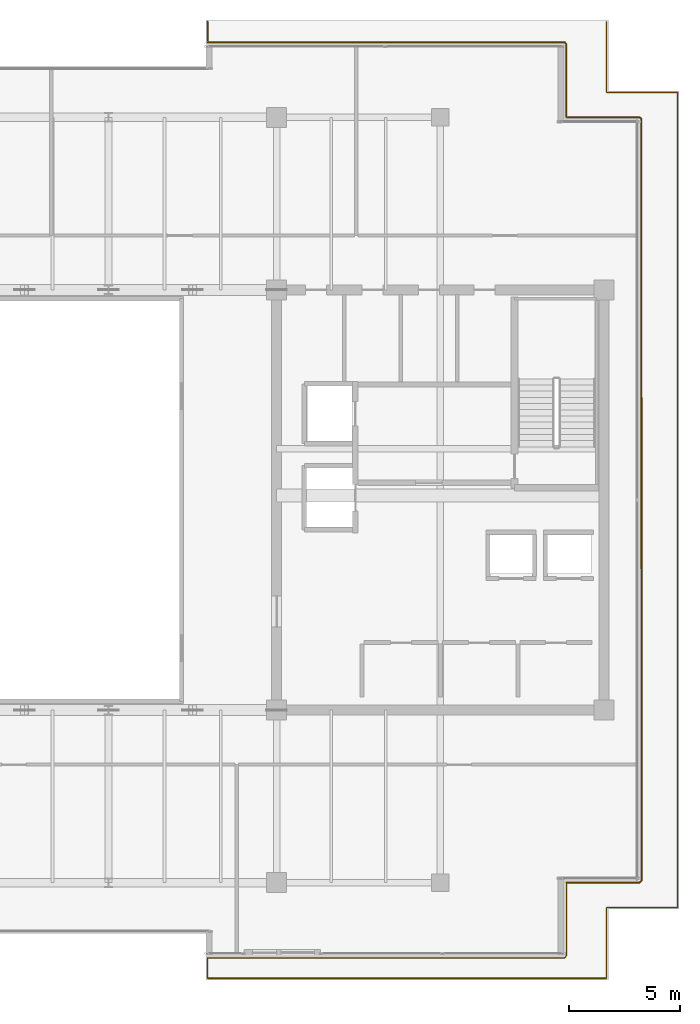
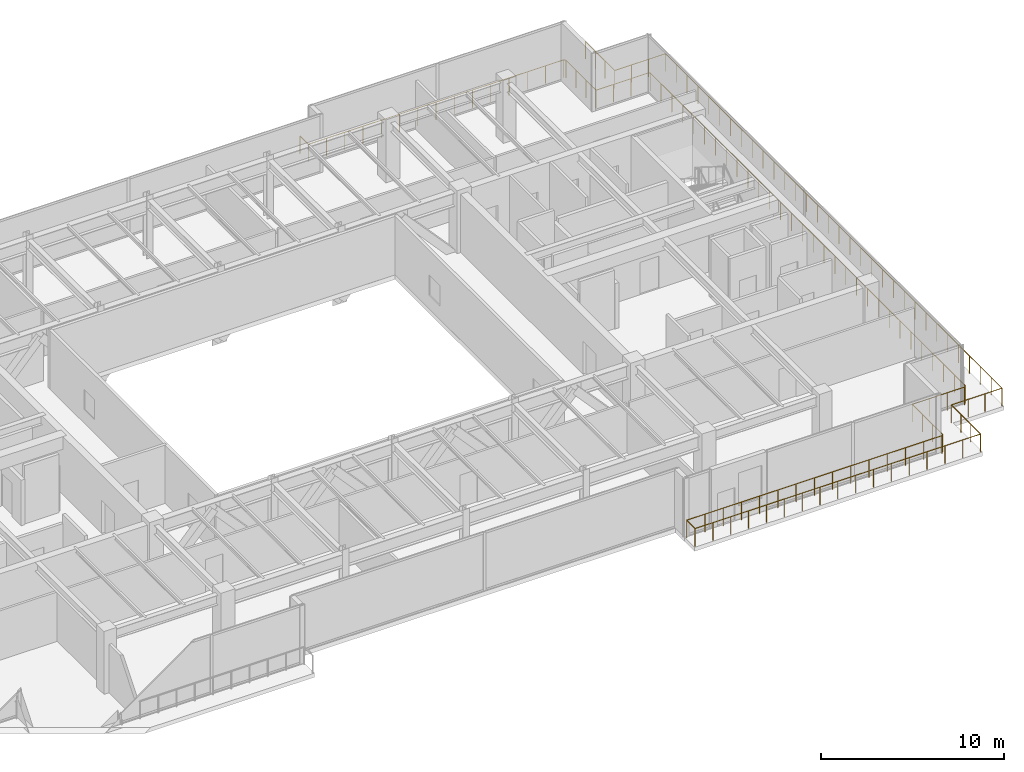
# One storey, part 33 of 34: 2 railings.
"""IFC4 building model written with IfcOpenShell, lengths in metres."""

from ifc_helpers import new_model, si_unit, direction, frame, origin, origin_2d, place, context, subcontext, project, spatial, circle, extrude, source, transform, mapped, material, type_object, type_shapes, element, save


model = new_model("IFC4")

# Units and contexts
model_context = context("Model", 3, precision=1e-05, world=origin(), true_north=direction((0.0, 1.0)))
body_context = subcontext(model_context, "Body", "Model", "MODEL_VIEW")
ifc_project = project(units=[si_unit("LENGTHUNIT", "METRE"), si_unit("AREAUNIT", "SQUARE_METRE"), si_unit("VOLUMEUNIT", "CUBIC_METRE"), si_unit("PLANEANGLEUNIT", "RADIAN"), si_unit("MASSUNIT", "GRAM", prefix="KILO")], contexts=[model_context])

# Site, building, storey
site_placement = place(None, origin())
site = spatial("IfcSite", under=ifc_project, at=site_placement, CompositionType="ELEMENT")
building_placement = place(site_placement, origin())
building = spatial("IfcBuilding", under=site, at=building_placement, Name="Haelvirn Gate Laboratories", CompositionType="ELEMENT")
storey_placement = place(building_placement, frame((0.0, 0.0, 297.60009765625)))
storey = spatial("IfcBuildingStorey", under=building, at=storey_placement, Name="L71", CompositionType="ELEMENT", Elevation=297.60009765625)

# Railings
ifc_material = material(Name="Laminated safety glass & bronze stainless steel 316L", Category="steel")
railing_type = type_object("IfcRailingType", Name="RLG-BAL-1200", PredefinedType="BALUSTRADE", material=ifc_material)
shared_shape_1 = source(origin(), body_context, "Body", "SweptSolid", [
    extrude(circle(Radius=0.02392578125, at=origin_2d()), frame((0.0, 0.0, 1.17578125), z_axis=(0.0, -1.0, 0.0), x_axis=(1.0, 0.0, 0.0)), (0.0, 0.0, 1.0), 3.199951171875),
    extrude(circle(Radius=0.02392578125, at=origin_2d()), frame((0.0, -3.199951171875, 1.17578125), z_axis=(1.0, 0.0, 0.0), x_axis=(0.0, 1.0, 0.0)), (0.0, 0.0, 1.0), 3.199951171875),
    extrude(circle(Radius=0.02392578125, at=origin_2d()), frame((3.199951171875, -3.199951171875, 1.17578125), z_axis=(0.0, -1.0, 0.0), x_axis=(1.0, 0.0, 0.0)), (0.0, 0.0, 1.0), 36.840087890625),
    extrude(circle(Radius=0.02392578125, at=origin_2d()), frame((3.199951171875, -40.0400390625, 1.17578125), z_axis=(-1.0, 0.0, 0.0), x_axis=(0.0, -1.0, 0.0)), (0.0, 0.0, 1.0), 3.199951171875),
    extrude(circle(Radius=0.02392578125, at=origin_2d()), frame((0.0, -40.0400390625, 1.17578125), z_axis=(0.0, -1.0, 0.0), x_axis=(1.0, 0.0, 0.0)), (0.0, 0.0, 1.0), 3.199951171875),
    extrude(circle(Radius=0.02392578125, at=origin_2d()), frame((0.0, -43.239990234375, 1.17578125), z_axis=(-1.0, 0.0, 0.0), x_axis=(0.0, -1.0, 0.0)), (0.0, 0.0, 1.0), 18.0400390625),
    extrude(circle(Radius=0.02392578125, at=origin_2d()), frame((-18.0400390625, -43.239990234375, 1.17578125), z_axis=(0.0, 1.0, 0.0), x_axis=(-1.0, 0.0, 0.0)), (0.0, 0.0, 1.0), 0.920166015625),
    extrude(circle(Radius=0.02392578125, at=origin_2d()), frame((-18.0400390625, -42.31982421875, 1.17578125), z_axis=(0.999999994394, 0.000105888937, 0.0), x_axis=(-0.000105888937, 0.999999994394, 0.0)), (0.0, 0.0, 1.0), 16.139404296875),
    extrude(circle(Radius=0.02392578125, at=origin_2d()), frame((-1.900634765625, -42.318115234375, 1.17578125), z_axis=(0.642096261797, 0.76662402166, 0.0), x_axis=(-0.76662402166, 0.642096261797, 0.0)), (0.0, 0.0, 1.0), 0.12548828125),
    extrude(circle(Radius=0.02392578125, at=origin_2d()), frame((-1.820068359375, -42.221923828125, 1.17578125), z_axis=(0.0, 1.0, 0.0), x_axis=(-1.0, 0.0, 0.0)), (0.0, 0.0, 1.0), 3.302001953125),
    extrude(circle(Radius=0.02099609375, at=origin_2d()), origin(), (0.0, 0.0, 1.0), 1.15185546875),
    extrude(circle(Radius=0.02099609375, at=origin_2d()), frame((0.0, -1.066650390625, 0.0)), (0.0, 0.0, 1.0), 1.15185546875),
    extrude(circle(Radius=0.02099609375, at=origin_2d()), frame((0.0, -2.13330078125, 0.0)), (0.0, 0.0, 1.0), 1.15185546875),
    extrude(circle(Radius=0.02099609375, at=origin_2d()), frame((0.0, -3.199951171875, 0.0)), (0.0, 0.0, 1.0), 1.15185546875),
    extrude(circle(Radius=0.02099609375, at=origin_2d()), frame((1.066650390625, -3.199951171875, 0.0)), (0.0, 0.0, 1.0), 1.15185546875),
    extrude(circle(Radius=0.02099609375, at=origin_2d()), frame((2.13330078125, -3.199951171875, 0.0)), (0.0, 0.0, 1.0), 1.15185546875),
    extrude(circle(Radius=0.02099609375, at=origin_2d()), frame((3.199951171875, -3.199951171875, 0.0)), (0.0, 0.0, 1.0), 1.15185546875),
    extrude(circle(Radius=0.02099609375, at=origin_2d()), frame((3.199951171875, -4.388427734375, 0.0)), (0.0, 0.0, 1.0), 1.15185546875),
    extrude(circle(Radius=0.02099609375, at=origin_2d()), frame((3.199951171875, -5.57666015625, 0.0)), (0.0, 0.0, 1.0), 1.15185546875),
    extrude(circle(Radius=0.02099609375, at=origin_2d()), frame((3.199951171875, -6.76513671875, 0.0)), (0.0, 0.0, 1.0), 1.15185546875),
    extrude(circle(Radius=0.02099609375, at=origin_2d()), frame((3.199951171875, -7.95361328125, 0.0)), (0.0, 0.0, 1.0), 1.15185546875),
    extrude(circle(Radius=0.02099609375, at=origin_2d()), frame((3.199951171875, -9.141845703125, 0.0)), (0.0, 0.0, 1.0), 1.15185546875),
    extrude(circle(Radius=0.02099609375, at=origin_2d()), frame((3.199951171875, -10.330322265625, 0.0)), (0.0, 0.0, 1.0), 1.15185546875),
    extrude(circle(Radius=0.02099609375, at=origin_2d()), frame((3.199951171875, -11.518798828125, 0.0)), (0.0, 0.0, 1.0), 1.15185546875),
    extrude(circle(Radius=0.02099609375, at=origin_2d()), frame((3.199951171875, -12.70703125, 0.0)), (0.0, 0.0, 1.0), 1.15185546875),
    extrude(circle(Radius=0.02099609375, at=origin_2d()), frame((3.199951171875, -13.8955078125, 0.0)), (0.0, 0.0, 1.0), 1.15185546875),
    extrude(circle(Radius=0.02099609375, at=origin_2d()), frame((3.199951171875, -15.083740234375, 0.0)), (0.0, 0.0, 1.0), 1.15185546875),
    extrude(circle(Radius=0.02099609375, at=origin_2d()), frame((3.199951171875, -16.272216796875, 0.0)), (0.0, 0.0, 1.0), 1.15185546875),
    extrude(circle(Radius=0.02099609375, at=origin_2d()), frame((3.199951171875, -17.460693359375, 0.0)), (0.0, 0.0, 1.0), 1.15185546875),
    extrude(circle(Radius=0.02099609375, at=origin_2d()), frame((3.199951171875, -18.64892578125, 0.0)), (0.0, 0.0, 1.0), 1.15185546875),
    extrude(circle(Radius=0.02099609375, at=origin_2d()), frame((3.199951171875, -19.83740234375, 0.0)), (0.0, 0.0, 1.0), 1.15185546875),
    extrude(circle(Radius=0.02099609375, at=origin_2d()), frame((3.199951171875, -21.02587890625, 0.0)), (0.0, 0.0, 1.0), 1.15185546875),
    extrude(circle(Radius=0.02099609375, at=origin_2d()), frame((3.199951171875, -22.214111328125, 0.0)), (0.0, 0.0, 1.0), 1.15185546875),
    extrude(circle(Radius=0.02099609375, at=origin_2d()), frame((3.199951171875, -23.402587890625, 0.0)), (0.0, 0.0, 1.0), 1.15185546875),
    extrude(circle(Radius=0.02099609375, at=origin_2d()), frame((3.199951171875, -24.591064453125, 0.0)), (0.0, 0.0, 1.0), 1.15185546875),
    extrude(circle(Radius=0.02099609375, at=origin_2d()), frame((3.199951171875, -25.779296875, 0.0)), (0.0, 0.0, 1.0), 1.15185546875),
    extrude(circle(Radius=0.02099609375, at=origin_2d()), frame((3.199951171875, -26.9677734375, 0.0)), (0.0, 0.0, 1.0), 1.15185546875),
    extrude(circle(Radius=0.02099609375, at=origin_2d()), frame((3.199951171875, -28.15625, 0.0)), (0.0, 0.0, 1.0), 1.15185546875),
    extrude(circle(Radius=0.02099609375, at=origin_2d()), frame((3.199951171875, -29.344482421875, 0.0)), (0.0, 0.0, 1.0), 1.15185546875),
    extrude(circle(Radius=0.02099609375, at=origin_2d()), frame((3.199951171875, -30.532958984375, 0.0)), (0.0, 0.0, 1.0), 1.15185546875),
    extrude(circle(Radius=0.02099609375, at=origin_2d()), frame((3.199951171875, -31.72119140625, 0.0)), (0.0, 0.0, 1.0), 1.15185546875),
    extrude(circle(Radius=0.02099609375, at=origin_2d()), frame((3.199951171875, -32.90966796875, 0.0)), (0.0, 0.0, 1.0), 1.15185546875),
    extrude(circle(Radius=0.02099609375, at=origin_2d()), frame((3.199951171875, -34.09814453125, 0.0)), (0.0, 0.0, 1.0), 1.15185546875),
    extrude(circle(Radius=0.02099609375, at=origin_2d()), frame((3.199951171875, -35.286376953125, 0.0)), (0.0, 0.0, 1.0), 1.15185546875),
    extrude(circle(Radius=0.02099609375, at=origin_2d()), frame((3.199951171875, -36.474853515625, 0.0)), (0.0, 0.0, 1.0), 1.15185546875),
    extrude(circle(Radius=0.02099609375, at=origin_2d()), frame((3.199951171875, -37.663330078125, 0.0)), (0.0, 0.0, 1.0), 1.15185546875),
    extrude(circle(Radius=0.02099609375, at=origin_2d()), frame((3.199951171875, -38.8515625, 0.0)), (0.0, 0.0, 1.0), 1.15185546875),
    extrude(circle(Radius=0.02099609375, at=origin_2d()), frame((3.199951171875, -40.0400390625, 0.0)), (0.0, 0.0, 1.0), 1.15185546875),
    extrude(circle(Radius=0.02099609375, at=origin_2d()), frame((2.13330078125, -40.0400390625, 0.0)), (0.0, 0.0, 1.0), 1.15185546875),
    extrude(circle(Radius=0.02099609375, at=origin_2d()), frame((1.066650390625, -40.0400390625, 0.0)), (0.0, 0.0, 1.0), 1.15185546875),
    extrude(circle(Radius=0.02099609375, at=origin_2d()), frame((0.0, -40.0400390625, 0.0)), (0.0, 0.0, 1.0), 1.15185546875),
    extrude(circle(Radius=0.02099609375, at=origin_2d()), frame((0.0, -41.106689453125, 0.0)), (0.0, 0.0, 1.0), 1.15185546875),
    extrude(circle(Radius=0.02099609375, at=origin_2d()), frame((0.0, -42.17333984375, 0.0)), (0.0, 0.0, 1.0), 1.15185546875),
    extrude(circle(Radius=0.02099609375, at=origin_2d()), frame((0.0, -43.239990234375, 0.0)), (0.0, 0.0, 1.0), 1.15185546875),
    extrude(circle(Radius=0.02099609375, at=origin_2d()), frame((-1.12744140625, -43.239990234375, 0.0)), (0.0, 0.0, 1.0), 1.15185546875),
    extrude(circle(Radius=0.02099609375, at=origin_2d()), frame((-2.2548828125, -43.239990234375, 0.0)), (0.0, 0.0, 1.0), 1.15185546875),
    extrude(circle(Radius=0.02099609375, at=origin_2d()), frame((-3.382568359375, -43.239990234375, 0.0)), (0.0, 0.0, 1.0), 1.15185546875),
    extrude(circle(Radius=0.02099609375, at=origin_2d()), frame((-4.510009765625, -43.239990234375, 0.0)), (0.0, 0.0, 1.0), 1.15185546875),
    extrude(circle(Radius=0.02099609375, at=origin_2d()), frame((-5.637451171875, -43.239990234375, 0.0)), (0.0, 0.0, 1.0), 1.15185546875),
    extrude(circle(Radius=0.02099609375, at=origin_2d()), frame((-6.76513671875, -43.239990234375, 0.0)), (0.0, 0.0, 1.0), 1.15185546875),
    extrude(circle(Radius=0.02099609375, at=origin_2d()), frame((-7.892578125, -43.239990234375, 0.0)), (0.0, 0.0, 1.0), 1.15185546875),
    extrude(circle(Radius=0.02099609375, at=origin_2d()), frame((-9.02001953125, -43.239990234375, 0.0)), (0.0, 0.0, 1.0), 1.15185546875),
    extrude(circle(Radius=0.02099609375, at=origin_2d()), frame((-10.1474609375, -43.239990234375, 0.0)), (0.0, 0.0, 1.0), 1.15185546875),
    extrude(circle(Radius=0.02099609375, at=origin_2d()), frame((-11.27490234375, -43.239990234375, 0.0)), (0.0, 0.0, 1.0), 1.15185546875),
    extrude(circle(Radius=0.02099609375, at=origin_2d()), frame((-12.402587890625, -43.239990234375, 0.0)), (0.0, 0.0, 1.0), 1.15185546875),
    extrude(circle(Radius=0.02099609375, at=origin_2d()), frame((-13.530029296875, -43.239990234375, 0.0)), (0.0, 0.0, 1.0), 1.15185546875),
    extrude(circle(Radius=0.02099609375, at=origin_2d()), frame((-14.657470703125, -43.239990234375, 0.0)), (0.0, 0.0, 1.0), 1.15185546875),
    extrude(circle(Radius=0.02099609375, at=origin_2d()), frame((-15.78515625, -43.239990234375, 0.0)), (0.0, 0.0, 1.0), 1.15185546875),
    extrude(circle(Radius=0.02099609375, at=origin_2d()), frame((-16.91259765625, -43.239990234375, 0.0)), (0.0, 0.0, 1.0), 1.15185546875),
    extrude(circle(Radius=0.02099609375, at=origin_2d()), frame((-18.0400390625, -43.239990234375, 0.0)), (0.0, 0.0, 1.0), 1.15185546875),
    extrude(circle(Radius=0.02099609375, at=origin_2d()), frame((-18.0400390625, -42.31982421875, 0.0)), (0.0, 0.0, 1.0), 1.15185546875),
    extrude(circle(Radius=0.02099609375, at=origin_2d()), frame((-16.88720703125, -42.31982421875, 0.0)), (0.0, 0.0, 1.0), 1.15185546875),
    extrude(circle(Radius=0.02099609375, at=origin_2d()), frame((-15.734375, -42.319580078125, 0.0)), (0.0, 0.0, 1.0), 1.15185546875),
    extrude(circle(Radius=0.02099609375, at=origin_2d()), frame((-14.58154296875, -42.3193359375, 0.0)), (0.0, 0.0, 1.0), 1.15185546875),
    extrude(circle(Radius=0.02099609375, at=origin_2d()), frame((-13.4287109375, -42.3193359375, 0.0)), (0.0, 0.0, 1.0), 1.15185546875),
    extrude(circle(Radius=0.02099609375, at=origin_2d()), frame((-12.27587890625, -42.3193359375, 0.0)), (0.0, 0.0, 1.0), 1.15185546875),
    extrude(circle(Radius=0.02099609375, at=origin_2d()), frame((-11.123046875, -42.319091796875, 0.0)), (0.0, 0.0, 1.0), 1.15185546875),
    extrude(circle(Radius=0.02099609375, at=origin_2d()), frame((-9.97021484375, -42.31884765625, 0.0)), (0.0, 0.0, 1.0), 1.15185546875),
    extrude(circle(Radius=0.02099609375, at=origin_2d()), frame((-8.817626953125, -42.31884765625, 0.0)), (0.0, 0.0, 1.0), 1.15185546875),
    extrude(circle(Radius=0.02099609375, at=origin_2d()), frame((-7.664794921875, -42.31884765625, 0.0)), (0.0, 0.0, 1.0), 1.15185546875),
    extrude(circle(Radius=0.02099609375, at=origin_2d()), frame((-6.511962890625, -42.318603515625, 0.0)), (0.0, 0.0, 1.0), 1.15185546875),
    extrude(circle(Radius=0.02099609375, at=origin_2d()), frame((-5.359130859375, -42.318359375, 0.0)), (0.0, 0.0, 1.0), 1.15185546875),
    extrude(circle(Radius=0.02099609375, at=origin_2d()), frame((-4.206298828125, -42.318359375, 0.0)), (0.0, 0.0, 1.0), 1.15185546875),
    extrude(circle(Radius=0.02099609375, at=origin_2d()), frame((-3.053466796875, -42.318359375, 0.0)), (0.0, 0.0, 1.0), 1.15185546875),
    extrude(circle(Radius=0.02099609375, at=origin_2d()), frame((-1.900634765625, -42.318115234375, 0.0)), (0.0, 0.0, 1.0), 1.15185546875),
    extrude(circle(Radius=0.02099609375, at=origin_2d()), frame((-1.820068359375, -42.221923828125, 0.0)), (0.0, 0.0, 1.0), 1.15185546875),
    extrude(circle(Radius=0.02099609375, at=origin_2d()), frame((-1.820068359375, -41.121337890625, 0.0)), (0.0, 0.0, 1.0), 1.15185546875),
    extrude(circle(Radius=0.02099609375, at=origin_2d()), frame((-1.820068359375, -40.0205078125, 0.0)), (0.0, 0.0, 1.0), 1.15185546875),
    extrude(circle(Radius=0.02099609375, at=origin_2d()), frame((-1.820068359375, -38.919921875, 0.0)), (0.0, 0.0, 1.0), 1.15185546875),
])
railing_1_placement = place(storey_placement, frame((67.52001953125, 45.919921875, 0.0)))
element("IfcRailing", 1, at=railing_1_placement, inside=storey, type_object=railing_type, Name="L71 Setback Terrace Guardrail 2-1A", PredefinedType="BALUSTRADE", context=body_context, shape_type="MappedRepresentation", body=[
    mapped(shared_shape_1, transform((0.0, 0.0, 0.0), scale=1.0)),
])
shared_shape_2 = source(origin(), body_context, "Body", "SweptSolid", [
    extrude(circle(Radius=0.02392578125, at=origin_2d()), frame((0.0, 0.0, 1.17578125), z_axis=(1.0, 0.0, 0.0), x_axis=(0.0, 1.0, 0.0)), (0.0, 0.0, 1.0), 3.302001953125),
    extrude(circle(Radius=0.02392578125, at=origin_2d()), frame((3.302001953125, 0.0, 1.17578125), z_axis=(0.707986813494, 0.706225652266, 0.0), x_axis=(-0.706225652266, 0.707986813494, 0.0)), (0.0, 0.0, 1.0), 0.138671875),
    extrude(circle(Radius=0.02392578125, at=origin_2d()), frame((3.400146484375, 0.097900390625, 1.17578125), z_axis=(-0.000340174603, 0.999999942141, 0.0), x_axis=(-0.999999942141, -0.000340174603, 0.0)), (0.0, 0.0, 1.0), 34.44921875),
    extrude(circle(Radius=0.02392578125, at=origin_2d()), frame((3.388427734375, 34.547119140625, 1.17578125), z_axis=(-0.852566636905, 0.522618531662, 0.0), x_axis=(-0.522618531662, -0.852566636905, 0.0)), (0.0, 0.0, 1.0), 0.101318359375),
    extrude(circle(Radius=0.02392578125, at=origin_2d()), frame((3.302001953125, 34.60009765625, 1.17578125), z_axis=(-1.0, 0.0, 0.0), x_axis=(0.0, -1.0, 0.0)), (0.0, 0.0, 1.0), 3.302001953125),
    extrude(circle(Radius=0.02392578125, at=origin_2d()), frame((0.0, 34.60009765625, 1.17578125), z_axis=(0.0, 1.0, 0.0), x_axis=(-1.0, 0.0, 0.0)), (0.0, 0.0, 1.0), 3.302001953125),
    extrude(circle(Radius=0.02392578125, at=origin_2d()), frame((0.0, 37.902099609375, 1.17578125), z_axis=(-0.642096261797, 0.76662402166, 0.0), x_axis=(-0.76662402166, -0.642096261797, 0.0)), (0.0, 0.0, 1.0), 0.12548828125),
    extrude(circle(Radius=0.02392578125, at=origin_2d()), frame((-0.08056640625, 37.998291015625, 1.17578125), z_axis=(-0.999999994394, 0.000105888937, 0.0), x_axis=(-0.000105888937, -0.999999994394, 0.0)), (0.0, 0.0, 1.0), 16.139404296875),
    extrude(circle(Radius=0.02392578125, at=origin_2d()), frame((-16.219970703125, 38.0, 1.17578125), z_axis=(0.0, 1.0, 0.0), x_axis=(-1.0, 0.0, 0.0)), (0.0, 0.0, 1.0), 0.919921875),
    extrude(circle(Radius=0.02099609375, at=origin_2d()), origin(), (0.0, 0.0, 1.0), 1.15185546875),
    extrude(circle(Radius=0.02099609375, at=origin_2d()), frame((1.1005859375, 0.0, 0.0)), (0.0, 0.0, 1.0), 1.15185546875),
    extrude(circle(Radius=0.02099609375, at=origin_2d()), frame((2.201416015625, 0.0, 0.0)), (0.0, 0.0, 1.0), 1.15185546875),
    extrude(circle(Radius=0.02099609375, at=origin_2d()), frame((3.302001953125, 0.0, 0.0)), (0.0, 0.0, 1.0), 1.15185546875),
    extrude(circle(Radius=0.02099609375, at=origin_2d()), frame((3.400146484375, 0.097900390625, 0.0)), (0.0, 0.0, 1.0), 1.15185546875),
    extrude(circle(Radius=0.02099609375, at=origin_2d()), frame((3.399658203125, 1.285888671875, 0.0)), (0.0, 0.0, 1.0), 1.15185546875),
    extrude(circle(Radius=0.02099609375, at=origin_2d()), frame((3.3994140625, 2.4736328125, 0.0)), (0.0, 0.0, 1.0), 1.15185546875),
    extrude(circle(Radius=0.02099609375, at=origin_2d()), frame((3.39892578125, 3.66162109375, 0.0)), (0.0, 0.0, 1.0), 1.15185546875),
    extrude(circle(Radius=0.02099609375, at=origin_2d()), frame((3.3984375, 4.849609375, 0.0)), (0.0, 0.0, 1.0), 1.15185546875),
    extrude(circle(Radius=0.02099609375, at=origin_2d()), frame((3.398193359375, 6.037353515625, 0.0)), (0.0, 0.0, 1.0), 1.15185546875),
    extrude(circle(Radius=0.02099609375, at=origin_2d()), frame((3.397705078125, 7.225341796875, 0.0)), (0.0, 0.0, 1.0), 1.15185546875),
    extrude(circle(Radius=0.02099609375, at=origin_2d()), frame((3.397216796875, 8.413330078125, 0.0)), (0.0, 0.0, 1.0), 1.15185546875),
    extrude(circle(Radius=0.02099609375, at=origin_2d()), frame((3.39697265625, 9.60107421875, 0.0)), (0.0, 0.0, 1.0), 1.15185546875),
    extrude(circle(Radius=0.02099609375, at=origin_2d()), frame((3.396484375, 10.7890625, 0.0)), (0.0, 0.0, 1.0), 1.15185546875),
    extrude(circle(Radius=0.02099609375, at=origin_2d()), frame((3.39599609375, 11.97705078125, 0.0)), (0.0, 0.0, 1.0), 1.15185546875),
    extrude(circle(Radius=0.02099609375, at=origin_2d()), frame((3.395751953125, 13.164794921875, 0.0)), (0.0, 0.0, 1.0), 1.15185546875),
    extrude(circle(Radius=0.02099609375, at=origin_2d()), frame((3.395263671875, 14.352783203125, 0.0)), (0.0, 0.0, 1.0), 1.15185546875),
    extrude(circle(Radius=0.02099609375, at=origin_2d()), frame((3.394775390625, 15.540771484375, 0.0)), (0.0, 0.0, 1.0), 1.15185546875),
    extrude(circle(Radius=0.02099609375, at=origin_2d()), frame((3.39453125, 16.728515625, 0.0)), (0.0, 0.0, 1.0), 1.15185546875),
    extrude(circle(Radius=0.02099609375, at=origin_2d()), frame((3.39404296875, 17.91650390625, 0.0)), (0.0, 0.0, 1.0), 1.15185546875),
    extrude(circle(Radius=0.02099609375, at=origin_2d()), frame((3.393798828125, 19.104248046875, 0.0)), (0.0, 0.0, 1.0), 1.15185546875),
    extrude(circle(Radius=0.02099609375, at=origin_2d()), frame((3.393310546875, 20.292236328125, 0.0)), (0.0, 0.0, 1.0), 1.15185546875),
    extrude(circle(Radius=0.02099609375, at=origin_2d()), frame((3.392822265625, 21.480224609375, 0.0)), (0.0, 0.0, 1.0), 1.15185546875),
    extrude(circle(Radius=0.02099609375, at=origin_2d()), frame((3.392578125, 22.66796875, 0.0)), (0.0, 0.0, 1.0), 1.15185546875),
    extrude(circle(Radius=0.02099609375, at=origin_2d()), frame((3.39208984375, 23.85595703125, 0.0)), (0.0, 0.0, 1.0), 1.15185546875),
    extrude(circle(Radius=0.02099609375, at=origin_2d()), frame((3.3916015625, 25.0439453125, 0.0)), (0.0, 0.0, 1.0), 1.15185546875),
    extrude(circle(Radius=0.02099609375, at=origin_2d()), frame((3.391357421875, 26.231689453125, 0.0)), (0.0, 0.0, 1.0), 1.15185546875),
    extrude(circle(Radius=0.02099609375, at=origin_2d()), frame((3.390869140625, 27.419677734375, 0.0)), (0.0, 0.0, 1.0), 1.15185546875),
    extrude(circle(Radius=0.02099609375, at=origin_2d()), frame((3.390380859375, 28.607666015625, 0.0)), (0.0, 0.0, 1.0), 1.15185546875),
    extrude(circle(Radius=0.02099609375, at=origin_2d()), frame((3.39013671875, 29.79541015625, 0.0)), (0.0, 0.0, 1.0), 1.15185546875),
    extrude(circle(Radius=0.02099609375, at=origin_2d()), frame((3.3896484375, 30.9833984375, 0.0)), (0.0, 0.0, 1.0), 1.15185546875),
    extrude(circle(Radius=0.02099609375, at=origin_2d()), frame((3.38916015625, 32.17138671875, 0.0)), (0.0, 0.0, 1.0), 1.15185546875),
    extrude(circle(Radius=0.02099609375, at=origin_2d()), frame((3.388916015625, 33.359130859375, 0.0)), (0.0, 0.0, 1.0), 1.15185546875),
    extrude(circle(Radius=0.02099609375, at=origin_2d()), frame((3.388427734375, 34.547119140625, 0.0)), (0.0, 0.0, 1.0), 1.15185546875),
    extrude(circle(Radius=0.02099609375, at=origin_2d()), frame((2.201416015625, 34.60009765625, 0.0)), (0.0, 0.0, 1.0), 1.15185546875),
    extrude(circle(Radius=0.02099609375, at=origin_2d()), frame((1.1005859375, 34.60009765625, 0.0)), (0.0, 0.0, 1.0), 1.15185546875),
    extrude(circle(Radius=0.02099609375, at=origin_2d()), frame((0.0, 34.60009765625, 0.0)), (0.0, 0.0, 1.0), 1.15185546875),
    extrude(circle(Radius=0.02099609375, at=origin_2d()), frame((0.0, 35.70068359375, 0.0)), (0.0, 0.0, 1.0), 1.15185546875),
    extrude(circle(Radius=0.02099609375, at=origin_2d()), frame((0.0, 36.801513671875, 0.0)), (0.0, 0.0, 1.0), 1.15185546875),
    extrude(circle(Radius=0.02099609375, at=origin_2d()), frame((0.0, 37.902099609375, 0.0)), (0.0, 0.0, 1.0), 1.15185546875),
    extrude(circle(Radius=0.02099609375, at=origin_2d()), frame((-0.08056640625, 37.998291015625, 0.0)), (0.0, 0.0, 1.0), 1.15185546875),
    extrude(circle(Radius=0.02099609375, at=origin_2d()), frame((-1.2333984375, 37.99853515625, 0.0)), (0.0, 0.0, 1.0), 1.15185546875),
    extrude(circle(Radius=0.02099609375, at=origin_2d()), frame((-2.38623046875, 37.99853515625, 0.0)), (0.0, 0.0, 1.0), 1.15185546875),
    extrude(circle(Radius=0.02099609375, at=origin_2d()), frame((-3.5390625, 37.99853515625, 0.0)), (0.0, 0.0, 1.0), 1.15185546875),
    extrude(circle(Radius=0.02099609375, at=origin_2d()), frame((-4.69189453125, 37.998779296875, 0.0)), (0.0, 0.0, 1.0), 1.15185546875),
    extrude(circle(Radius=0.02099609375, at=origin_2d()), frame((-5.8447265625, 37.9990234375, 0.0)), (0.0, 0.0, 1.0), 1.15185546875),
    extrude(circle(Radius=0.02099609375, at=origin_2d()), frame((-6.99755859375, 37.9990234375, 0.0)), (0.0, 0.0, 1.0), 1.15185546875),
    extrude(circle(Radius=0.02099609375, at=origin_2d()), frame((-8.150390625, 37.9990234375, 0.0)), (0.0, 0.0, 1.0), 1.15185546875),
    extrude(circle(Radius=0.02099609375, at=origin_2d()), frame((-9.302978515625, 37.999267578125, 0.0)), (0.0, 0.0, 1.0), 1.15185546875),
    extrude(circle(Radius=0.02099609375, at=origin_2d()), frame((-10.455810546875, 37.99951171875, 0.0)), (0.0, 0.0, 1.0), 1.15185546875),
    extrude(circle(Radius=0.02099609375, at=origin_2d()), frame((-11.608642578125, 37.99951171875, 0.0)), (0.0, 0.0, 1.0), 1.15185546875),
    extrude(circle(Radius=0.02099609375, at=origin_2d()), frame((-12.761474609375, 37.99951171875, 0.0)), (0.0, 0.0, 1.0), 1.15185546875),
    extrude(circle(Radius=0.02099609375, at=origin_2d()), frame((-13.914306640625, 37.999755859375, 0.0)), (0.0, 0.0, 1.0), 1.15185546875),
    extrude(circle(Radius=0.02099609375, at=origin_2d()), frame((-15.067138671875, 38.0, 0.0)), (0.0, 0.0, 1.0), 1.15185546875),
    extrude(circle(Radius=0.02099609375, at=origin_2d()), frame((-16.219970703125, 38.0, 0.0)), (0.0, 0.0, 1.0), 1.15185546875),
    extrude(circle(Radius=0.02099609375, at=origin_2d()), frame((-16.219970703125, 38.919921875, 0.0)), (0.0, 0.0, 1.0), 1.15185546875),
])
type_shapes(railing_type, [shared_shape_1, shared_shape_2])
railing_2_placement = place(storey_placement, frame((65.699951171875, 7.0, 0.0)))
element("IfcRailing", 2, at=railing_2_placement, inside=storey, type_object=railing_type, Name="L71 Setback Terrace Guardrail 2-1B", PredefinedType="BALUSTRADE", context=body_context, shape_type="MappedRepresentation", body=[
    mapped(shared_shape_2, transform((0.0, 0.0, 0.0), scale=1.0)),
])

save(model, "model.ifc")
